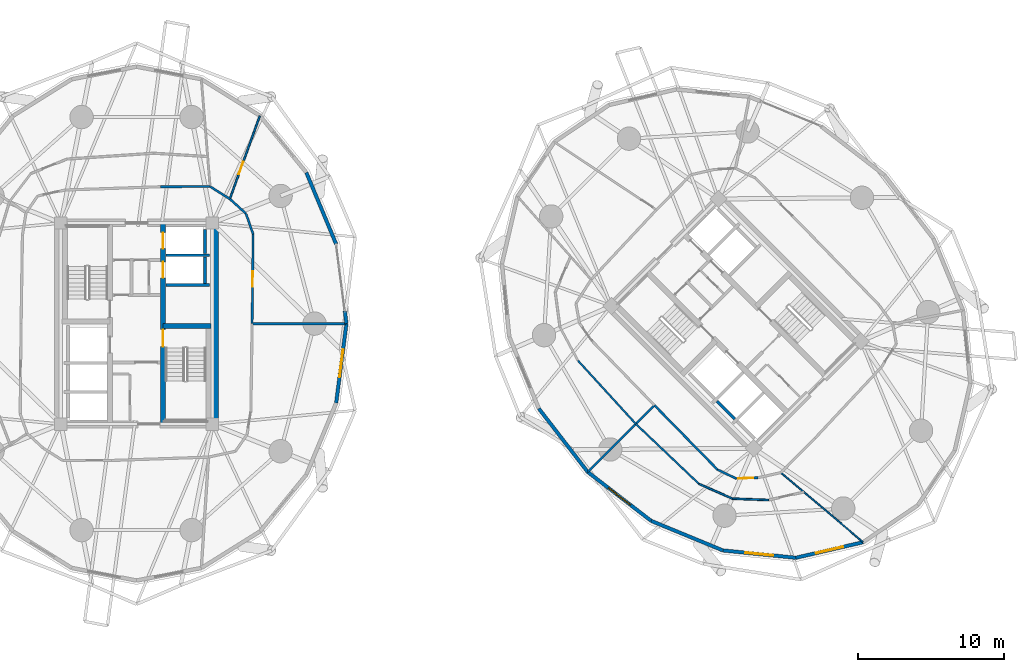
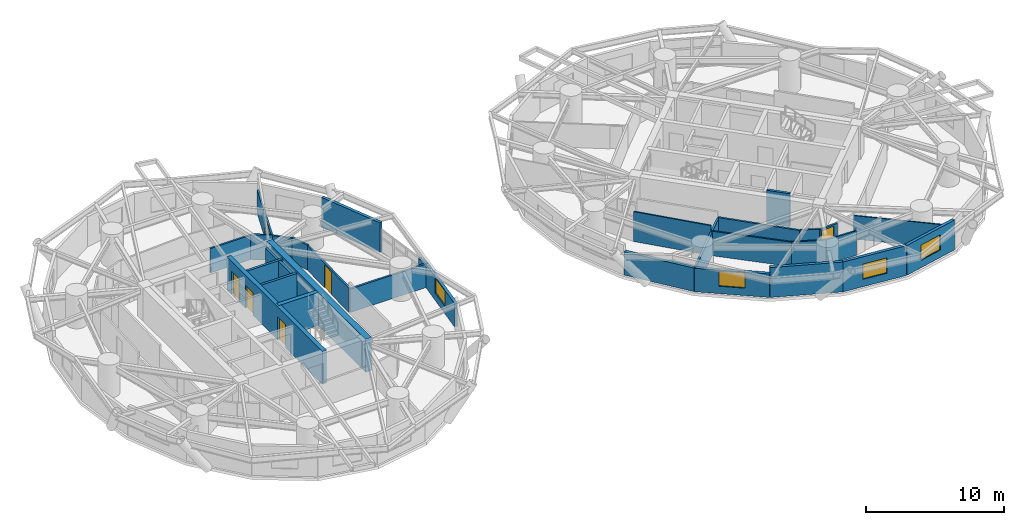
# One storey, part 11 of 17: 32 walls, 6 doors, 4 windows, 10 openings.
"""IFC4 building model written with IfcOpenShell, lengths in metres."""

from ifc_helpers import new_model, si_unit, direction, frame, frame_2d, origin, place, context, subcontext, project, spatial, rectangle, extrude, source, transform, mapped, material, layer, layer_set, type_object, element, fill, save


model = new_model("IFC4")

# Units and contexts
model_context = context("Model", 3, precision=1e-05, world=origin(), true_north=direction((0.0, 1.0)))
body_context = subcontext(model_context, "Body", "Model", "MODEL_VIEW")
ifc_project = project(units=[si_unit("LENGTHUNIT", "METRE"), si_unit("AREAUNIT", "SQUARE_METRE"), si_unit("VOLUMEUNIT", "CUBIC_METRE"), si_unit("PLANEANGLEUNIT", "RADIAN"), si_unit("MASSUNIT", "GRAM", prefix="KILO")], contexts=[model_context])

# Site, building, storey
site_placement = place(None, origin())
site = spatial("IfcSite", under=ifc_project, at=site_placement, CompositionType="ELEMENT")
building_placement = place(site_placement, origin())
building = spatial("IfcBuilding", under=site, at=building_placement, Name="Cununo Teusaquillo Station Towers", CompositionType="ELEMENT")
storey_placement = place(building_placement, frame((0.0, 0.0, 27.820068359375)))
storey = spatial("IfcBuildingStorey", under=building, at=storey_placement, Name="L07", CompositionType="ELEMENT", Elevation=27.820068359375)

# Walls
ifc_material_1 = material(Name="Concrete C50/60", Category="concrete")
ifc_layer_1 = layer(ifc_material_1, 0.199951171875)
ifc_layer_set_1 = layer_set([ifc_layer_1], Name="Concrete C50/60")
wall_type_1 = type_object("IfcWallType", Name="WL-CORE-200", PredefinedType="SHEAR", material=ifc_layer_set_1)
for number, where, z_axis, x_axis, name in (
    (1, (18.510009765625, 27.1298828125, 0.0), (0.0, 0.0, 1.0), (1.0, 0.0, 0.0), "L07 Tower A Low-Rise Lift Hoistway South Shear Wall"),
    (2, (18.510009765625, 29.175048828125, 0.0), (0.0, 0.0, 1.0), (1.0, 0.0, 0.0), "L07 Tower A Low-Rise Lift Hoistway Divider Shear Wall"),
):
    element("IfcWall", number, at=place(storey_placement, frame(where, z_axis=z_axis, x_axis=x_axis)), inside=storey, type_object=wall_type_1, Name=name, PredefinedType="SHEAR", context=body_context, shape_type="SweptSolid", body=[
        extrude(rectangle(XDim=2.969970703125, YDim=0.199951171875, at=frame_2d((1.48486328125, 0.0))), origin(), (0.0, 0.0, 1.0), 2.909912109375),
    ])
wall_1_placement = place(storey_placement, frame((21.179931640625, 27.25, 0.0), z_axis=(0.0, 0.0, 1.0), x_axis=(0.0, 1.0, 0.0)))
element("IfcWall", 3, at=wall_1_placement, inside=storey, type_object=wall_type_1, Name="L07 Tower A Low-Rise Lift 1 Shaft Rear Shear Wall", PredefinedType="SHEAR", context=body_context, shape_type="SweptSolid", body=[
    extrude(rectangle(XDim=1.804931640625, YDim=0.199951171875, at=frame_2d((0.90234375, 0.0))), origin(), (0.0, 0.0, 1.0), 2.909912109375),
])
wall_2_placement = place(storey_placement, frame((21.179931640625, 29.294921875, 0.0), z_axis=(0.0, 0.0, 1.0), x_axis=(0.0, 1.0, 0.0)))
element("IfcWall", 4, at=wall_2_placement, inside=storey, type_object=wall_type_1, Name="L07 Tower A Low-Rise Lift 2 Shaft Rear Shear Wall", PredefinedType="SHEAR", context=body_context, shape_type="SweptSolid", body=[
    extrude(rectangle(XDim=1.635009765625, YDim=0.199951171875, at=frame_2d((0.8173828125, 0.0))), origin(), (0.0, 0.0, 1.0), 2.909912109375),
])
wall_3_placement = place(storey_placement, frame((57.41162109375, 17.969970703125, 0.0), z_axis=(0.0, 0.0, 1.0), x_axis=(-0.707106781187, 0.707106781187, 0.0)))
element("IfcWall", 5, at=wall_3_placement, inside=storey, type_object=wall_type_1, Name="L07 Tower B High-Rise Lift 2 Shaft Rear Shear Wall", PredefinedType="SHEAR", context=body_context, shape_type="SweptSolid", body=[
    extrude(rectangle(XDim=1.73486328125, YDim=0.199951171875, at=frame_2d((0.867431640625, 0.0))), origin(), (0.0, 0.0, 1.0), 2.909912109375),
])

# Wall, openings, doors
ifc_material_2 = material(Name="Concrete C50/60", Category="concrete")
ifc_layer_2 = layer(ifc_material_2, 0.35009765625)
ifc_layer_set_2 = layer_set([ifc_layer_2], Name="Concrete C50/60")
wall_type_2 = type_object("IfcWallType", Name="WL-CORE-350", PredefinedType="SHEAR", material=ifc_layer_set_2)
wall_4_placement = place(storey_placement, frame((18.31494140625, 17.60009765625, 0.0), z_axis=(0.0, 0.0, 1.0), x_axis=(0.0, 1.0, 0.0)))
wall_4 = element("IfcWall", 6, at=wall_4_placement, inside=storey, type_object=wall_type_2, Name="L07 Tower A Core Shear Wall IE", PredefinedType="SHEAR", context=body_context, shape_type="SweptSolid", body=[
    extrude(rectangle(XDim=13.7998046875, YDim=0.35009765625, at=frame_2d((6.89990234375, 0.0))), origin(), (0.0, 0.0, 1.0), 2.909912109375),
])
shared_shape_1 = source(origin(), body_context, "Body", "SweptSolid", [
    extrude(rectangle(XDim=1.10009765625, YDim=2.014892578125, at=frame_2d((0.550048828125, 1.00732421875))), frame((0.0, 0.18505859375, 0.0), z_axis=(0.0, -1.0, 0.0), x_axis=(1.0, 0.0, 0.0)), (0.0, 0.0, 1.0), 0.3701171875),
])
opening_1_placement = place(wall_4_placement, frame((10.02490234375, 0.0, 0.0)))
opening_1 = element("IfcOpeningElement", 7, at=opening_1_placement, cuts=wall_4, Name="Opening LD-01", PredefinedType="OPENING", context=body_context, shape_type="MappedRepresentation", body=[
    mapped(shared_shape_1, transform((0.0, 0.0, 0.0), x_axis=(1.0, 0.0, 0.0), y_axis=(0.0, 1.0, 0.0), z_axis=(0.0, 0.0, 1.0), scale=1.0)),
])
opening_2_placement = place(wall_4_placement, frame((12.02490234375, 0.0, 0.0)))
opening_2 = element("IfcOpeningElement", 8, at=opening_2_placement, cuts=wall_4, Name="Opening LD-01", PredefinedType="OPENING", context=body_context, shape_type="MappedRepresentation", body=[
    mapped(shared_shape_1, transform((0.0, 0.0, 0.0), x_axis=(1.0, 0.0, 0.0), y_axis=(0.0, 1.0, 0.0), z_axis=(0.0, 0.0, 1.0), scale=1.0)),
])
shared_shape_2 = source(origin(), body_context, "Body", "SweptSolid", [
    extrude(rectangle(XDim=1.14990234375, YDim=2.02001953125, at=frame_2d((0.574951171875, 1.010009765625))), frame((0.0, 0.18505859375, 0.0), z_axis=(0.0, -1.0, 0.0), x_axis=(1.0, 0.0, 0.0)), (0.0, 0.0, 1.0), 0.3701171875),
])
opening_3_placement = place(wall_4_placement, frame((5.330078125, 0.0, 0.0)))
opening_3 = element("IfcOpeningElement", 9, at=opening_3_placement, cuts=wall_4, Name="Opening D-ST1", PredefinedType="OPENING", context=body_context, shape_type="MappedRepresentation", body=[
    mapped(shared_shape_2, transform((0.0, 0.0, 0.0), x_axis=(1.0, 0.0, 0.0), y_axis=(0.0, 1.0, 0.0), z_axis=(0.0, 0.0, 1.0), scale=1.0)),
])
ifc_material_3 = material(Name="Galvanised fire-rated hollow steel door assembly", Category="steel")
door_type_1 = type_object("IfcDoorType", Name="DR-LIFT-1100", OperationType="SLIDING_TO_LEFT", PredefinedType="DOOR", material=ifc_material_3)
shared_shape_3 = source(origin(), body_context, "Body", "SweptSolid", [
    extrude(rectangle(XDim=1.10009765625, YDim=2.014892578125, at=frame_2d((0.550048828125, 1.00732421875))), frame((0.0, 0.02490234375, 0.0), z_axis=(0.0, -1.0, 0.0), x_axis=(1.0, 0.0, 0.0)), (0.0, 0.0, 1.0), 0.050048828125),
])
door_1_placement = place(opening_1_placement, origin())
door_1 = element("IfcDoor", 10, at=door_1_placement, inside=storey, type_object=door_type_1, Name="L07 Lift PL-T1-L1 Sliding Landing Door", OperationType="SLIDING_TO_LEFT", OverallHeight=2.014892578125, OverallWidth=1.10009765625, PredefinedType="DOOR", context=body_context, shape_type="MappedRepresentation", body=[
    mapped(shared_shape_3, transform((0.0, 0.0, 0.0), x_axis=(1.0, 0.0, 0.0), y_axis=(0.0, 1.0, 0.0), z_axis=(0.0, 0.0, 1.0), scale=1.0)),
])
fill(opening_1, door_1)
door_2_placement = place(opening_2_placement, origin())
door_2 = element("IfcDoor", 11, at=door_2_placement, inside=storey, type_object=door_type_1, Name="L07 Lift PL-T1-L2 Sliding Landing Door", OperationType="SLIDING_TO_RIGHT", OverallHeight=2.014892578125, OverallWidth=1.10009765625, PredefinedType="DOOR", context=body_context, shape_type="MappedRepresentation", body=[
    mapped(shared_shape_3, transform((0.0, 0.0, 0.0), x_axis=(1.0, 0.0, 0.0), y_axis=(0.0, 1.0, 0.0), z_axis=(0.0, 0.0, 1.0), scale=1.0)),
])
fill(opening_2, door_2)
ifc_material_4 = material(Name="Galvanised fire-rated hollow steel door assembly", Category="steel")
door_type_2 = type_object("IfcDoorType", Name="DR-STAIR-1150", OperationType="NOTDEFINED", PredefinedType="DOOR", material=ifc_material_4)
shared_shape_4 = source(origin(), body_context, "Body", "SweptSolid", [
    extrude(rectangle(XDim=1.14990234375, YDim=2.02001953125, at=frame_2d((0.574951171875, 1.010009765625))), frame((0.0, 0.02490234375, 0.0), z_axis=(0.0, -1.0, 0.0), x_axis=(1.0, 0.0, 0.0)), (0.0, 0.0, 1.0), 0.050048828125),
])
door_3_placement = place(opening_3_placement, origin())
door_3 = element("IfcDoor", 12, at=door_3_placement, inside=storey, type_object=door_type_2, Name="L07 Tower A Exit Stair 2 Fire Door", OperationType="SINGLE_SWING_LEFT", OverallHeight=2.02001953125, OverallWidth=1.14990234375, PredefinedType="DOOR", context=body_context, shape_type="MappedRepresentation", body=[
    mapped(shared_shape_4, transform((0.0, 0.0, 0.0), x_axis=(1.0, 0.0, 0.0), y_axis=(0.0, 1.0, 0.0), z_axis=(0.0, 0.0, 1.0), scale=1.0)),
])
fill(opening_3, door_3)

# Walls
wall_5_placement = place(storey_placement, frame((18.31494140625, 24.344970703125, 0.0), z_axis=(0.0, 0.0, 1.0), x_axis=(1.0, 0.0, 0.0)))
element("IfcWall", 13, at=wall_5_placement, inside=storey, type_object=wall_type_2, Name="L07 Tower A Core Shear Wall ST2N", PredefinedType="SHEAR", context=body_context, shape_type="SweptSolid", body=[
    extrude(rectangle(XDim=3.28515625, YDim=0.35009765625, at=frame_2d((1.642578125, 0.0))), origin(), (0.0, 0.0, 1.0), 2.909912109375),
])
ifc_material_5 = material(Name="Concrete C60/75", Category="concrete")
ifc_layer_3 = layer(ifc_material_5, 0.5)
ifc_layer_set_3 = layer_set([ifc_layer_3], Name="Concrete C60/75")
wall_type_3 = type_object("IfcWallType", Name="WL-CORE-500", PredefinedType="SHEAR", material=ifc_layer_set_3)
wall_6_placement = place(storey_placement, frame((21.85009765625, 17.35009765625, 0.0), z_axis=(0.0, 0.0, 1.0), x_axis=(0.0, 1.0, 0.0)))
element("IfcWall", 14, at=wall_6_placement, inside=storey, type_object=wall_type_3, Name="L07 Tower A Core Shear Wall E", PredefinedType="SHEAR", context=body_context, shape_type="SweptSolid", body=[
    extrude(rectangle(XDim=14.2998046875, YDim=0.5, at=frame_2d((7.14990234375, 0.0))), origin(), (0.0, 0.0, 1.0), 2.909912109375),
])
ifc_material_6 = material(Name="Precast concrete C40/50", Category="concrete")
ifc_layer_4 = layer(ifc_material_6, 0.239990234375)
ifc_layer_set_4 = layer_set([ifc_layer_4], Name="Precast concrete C40/50")
wall_type_4 = type_object("IfcWallType", Name="WL-EXT-240", PredefinedType="SOLIDWALL", material=ifc_layer_set_4)
wall_7_placement = place(storey_placement, frame((30.7392578125, 25.36279296875, 0.0), z_axis=(0.0, 0.0, 1.0), x_axis=(0.128523364007, -0.991706481225, 0.0)))
element("IfcWall", 15, at=wall_7_placement, inside=storey, type_object=wall_type_4, Name="L07 Tower A Column Pier Cladding Wall C00-PB", PredefinedType="SOLIDWALL", context=body_context, shape_type="SweptSolid", body=[
    extrude(rectangle(XDim=0.8701171875, YDim=0.239990234375, at=frame_2d((0.43505859375, 0.0))), origin(), (0.0, 0.0, 1.0), 2.072998046875),
])
wall_8_placement = place(storey_placement, frame((28.110107421875, 34.827392578125, 0.0), z_axis=(0.0, 0.0, 1.0), x_axis=(0.384255919668, -0.923226618009, 0.0)))
element("IfcWall", 16, at=wall_8_placement, inside=storey, type_object=wall_type_4, Name="L07 Tower A Exterior Facade Wall C01", PredefinedType="SOLIDWALL", context=body_context, shape_type="SweptSolid", body=[
    extrude(rectangle(XDim=5.30517578125, YDim=0.239990234375, at=frame_2d((2.652587890625, 0.0))), origin(), (0.0, 0.0, 1.0), 2.635009765625),
])

# Wall, opening, window
wall_9_placement = place(storey_placement, frame((30.85107421875, 24.5, 0.0), z_axis=(0.0, 0.0, 1.0), x_axis=(-0.128298189174, -0.991735637483, 0.0)))
wall_9 = element("IfcWall", 17, at=wall_9_placement, inside=storey, type_object=wall_type_4, Name="L07 Tower A Exterior Facade Wall C19", PredefinedType="SOLIDWALL", context=body_context, shape_type="SweptSolid", body=[
    extrude(rectangle(XDim=5.474609375, YDim=0.239990234375, at=frame_2d((2.7373046875, 0.0))), origin(), (0.0, 0.0, 1.0), 2.072998046875),
])
shared_shape_5 = source(origin(), body_context, "Body", "SweptSolid", [
    extrude(rectangle(XDim=1.89990234375, YDim=1.35009765625, at=frame_2d((0.949951171875, 0.675048828125))), frame((0.0, 0.1298828125, 0.0), z_axis=(0.0, -1.0, 0.0), x_axis=(1.0, 0.0, 0.0)), (0.0, 0.0, 1.0), 0.260009765625),
])
opening_4_placement = place(wall_9_placement, frame((1.787109375, 0.0, 0.64990234375)))
opening_4 = element("IfcOpeningElement", 18, at=opening_4_placement, cuts=wall_9, Name="Opening WN-02", PredefinedType="OPENING", context=body_context, shape_type="MappedRepresentation", body=[
    mapped(shared_shape_5, transform((0.0, 0.0, 0.0), x_axis=(1.0, 0.0, 0.0), y_axis=(0.0, 1.0, 0.0), z_axis=(0.0, 0.0, 1.0), scale=1.0)),
])
ifc_material_7 = material(Name="Operable acoustic tinted low-E double glazing", Category="glass")
window_type = type_object("IfcWindowType", Name="WIN-OPER-1900", PartitioningType="DOUBLE_PANEL_VERTICAL", PredefinedType="WINDOW", material=ifc_material_7)
shared_shape_6 = source(origin(), body_context, "Body", "SweptSolid", [
    extrude(rectangle(XDim=1.89990234375, YDim=1.35009765625, at=frame_2d((0.949951171875, 0.675048828125))), frame((0.0, 0.030029296875, 0.0), z_axis=(0.0, -1.0, 0.0), x_axis=(1.0, 0.0, 0.0)), (0.0, 0.0, 1.0), 0.06005859375),
])
window_1_placement = place(opening_4_placement, origin())
window_1 = element("IfcWindow", 19, at=window_1_placement, inside=storey, type_object=window_type, Name="L07 Tower A Facade Window C19", OverallHeight=1.35009765625, OverallWidth=1.89990234375, PartitioningType="DOUBLE_PANEL_VERTICAL", PredefinedType="WINDOW", context=body_context, shape_type="MappedRepresentation", body=[
    mapped(shared_shape_6, transform((0.0, 0.0, 0.0), x_axis=(1.0, 0.0, 0.0), y_axis=(0.0, 1.0, 0.0), z_axis=(0.0, 0.0, 1.0), scale=1.0)),
])
fill(opening_4, window_1)

# Wall
wall_10_placement = place(storey_placement, frame((47.352294921875, 14.352294921875, 0.0), z_axis=(0.0, 0.0, 1.0), x_axis=(-0.610557396243, 0.791972010801, 0.0)))
element("IfcWall", 20, at=wall_10_placement, inside=storey, type_object=wall_type_4, Name="L07 Tower B Exterior Facade Wall C09", PredefinedType="SOLIDWALL", context=body_context, shape_type="SweptSolid", body=[
    extrude(rectangle(XDim=5.474609375, YDim=0.239990234375, at=frame_2d((2.7373046875, 0.0))), origin(), (0.0, 0.0, 1.0), 2.072998046875),
])

# Wall, opening, window
wall_11_placement = place(storey_placement, frame((51.68798828125, 11.009765625, 0.0), z_axis=(0.0, 0.0, 1.0), x_axis=(-0.791972010801, 0.610557396243, 0.0)))
wall_11 = element("IfcWall", 21, at=wall_11_placement, inside=storey, type_object=wall_type_4, Name="L07 Tower B Exterior Facade Wall C10", PredefinedType="SOLIDWALL", context=body_context, shape_type="SweptSolid", body=[
    extrude(rectangle(XDim=5.474609375, YDim=0.239990234375, at=frame_2d((2.7373046875, 0.0))), origin(), (0.0, 0.0, 1.0), 2.072998046875),
])
opening_5_placement = place(wall_11_placement, frame((1.787109375, 0.0, 0.64990234375)))
opening_5 = element("IfcOpeningElement", 22, at=opening_5_placement, cuts=wall_11, Name="Opening WN-02", PredefinedType="OPENING", context=body_context, shape_type="MappedRepresentation", body=[
    mapped(shared_shape_5, transform((0.0, 0.0, 0.0), x_axis=(1.0, 0.0, 0.0), y_axis=(0.0, 1.0, 0.0), z_axis=(0.0, 0.0, 1.0), scale=1.0)),
])
window_2_placement = place(opening_5_placement, origin())
window_2 = element("IfcWindow", 23, at=window_2_placement, inside=storey, type_object=window_type, Name="L07 Tower B Facade Window C10", OverallHeight=1.35009765625, OverallWidth=1.89990234375, PartitioningType="DOUBLE_PANEL_VERTICAL", PredefinedType="WINDOW", context=body_context, shape_type="MappedRepresentation", body=[
    mapped(shared_shape_6, transform((0.0, 0.0, 0.0), x_axis=(1.0, 0.0, 0.0), y_axis=(0.0, 1.0, 0.0), z_axis=(0.0, 0.0, 1.0), scale=1.0)),
])
fill(opening_5, window_2)

# Wall
wall_12_placement = place(storey_placement, frame((56.593017578125, 8.98779296875, 0.0), z_axis=(0.0, 0.0, 1.0), x_axis=(-0.924528403616, 0.381113147118, 0.0)))
element("IfcWall", 24, at=wall_12_placement, inside=storey, type_object=wall_type_4, Name="L07 Tower B Exterior Facade Wall C11", PredefinedType="SOLIDWALL", context=body_context, shape_type="SweptSolid", body=[
    extrude(rectangle(XDim=5.305419921875, YDim=0.239990234375, at=frame_2d((2.65283203125, 0.0))), origin(), (0.0, 0.0, 1.0), 2.635009765625),
])

# Wall, opening, window
wall_13_placement = place(storey_placement, frame((61.58642578125, 8.484130859375, 0.0), z_axis=(0.0, 0.0, 1.0), x_axis=(-0.994951574538, 0.100356187272, 0.0)))
wall_13 = element("IfcWall", 25, at=wall_13_placement, inside=storey, type_object=wall_type_4, Name="L07 Tower B Exterior Facade Wall C12", PredefinedType="SOLIDWALL", context=body_context, shape_type="SweptSolid", body=[
    extrude(rectangle(XDim=5.018798828125, YDim=0.239990234375, at=frame_2d((2.50927734375, 0.0))), origin(), (0.0, 0.0, 1.0), 2.635009765625),
])
opening_6_placement = place(wall_13_placement, frame((1.55908203125, 0.0, 0.64990234375)))
opening_6 = element("IfcOpeningElement", 26, at=opening_6_placement, cuts=wall_13, Name="Opening WN-02", PredefinedType="OPENING", context=body_context, shape_type="MappedRepresentation", body=[
    mapped(shared_shape_5, transform((0.0, 0.0, 0.0), x_axis=(1.0, 0.0, 0.0), y_axis=(0.0, 1.0, 0.0), z_axis=(0.0, 0.0, 1.0), scale=1.0)),
])
window_3_placement = place(opening_6_placement, origin())
window_3 = element("IfcWindow", 27, at=window_3_placement, inside=storey, type_object=window_type, Name="L07 Tower B Facade Window C12", OverallHeight=1.35009765625, OverallWidth=1.89990234375, PartitioningType="DOUBLE_PANEL_VERTICAL", PredefinedType="WINDOW", context=body_context, shape_type="MappedRepresentation", body=[
    mapped(shared_shape_6, transform((0.0, 0.0, 0.0), x_axis=(1.0, 0.0, 0.0), y_axis=(0.0, 1.0, 0.0), z_axis=(0.0, 0.0, 1.0), scale=1.0)),
])
fill(opening_6, window_3)

wall_14_placement = place(storey_placement, frame((66.179931640625, 9.54833984375, 0.0), z_axis=(0.0, 0.0, 1.0), x_axis=(-0.974197104074, -0.225698919833, 0.0)))
wall_14 = element("IfcWall", 28, at=wall_14_placement, inside=storey, type_object=wall_type_4, Name="L07 Tower B Exterior Facade Wall C13", PredefinedType="SOLIDWALL", context=body_context, shape_type="SweptSolid", body=[
    extrude(rectangle(XDim=4.715087890625, YDim=0.239990234375, at=frame_2d((2.357421875, 0.0))), origin(), (0.0, 0.0, 1.0), 2.635009765625),
])
opening_7_placement = place(wall_14_placement, frame((1.407958984375, 0.0, 0.64990234375)))
opening_7 = element("IfcOpeningElement", 29, at=opening_7_placement, cuts=wall_14, Name="Opening WN-02", PredefinedType="OPENING", context=body_context, shape_type="MappedRepresentation", body=[
    mapped(shared_shape_5, transform((0.0, 0.0, 0.0), x_axis=(1.0, 0.0, 0.0), y_axis=(0.0, 1.0, 0.0), z_axis=(0.0, 0.0, 1.0), scale=1.0)),
])
window_4_placement = place(opening_7_placement, origin())
window_4 = element("IfcWindow", 30, at=window_4_placement, inside=storey, type_object=window_type, Name="L07 Tower B Facade Window C13", OverallHeight=1.35009765625, OverallWidth=1.89990234375, PartitioningType="DOUBLE_PANEL_VERTICAL", PredefinedType="WINDOW", context=body_context, shape_type="MappedRepresentation", body=[
    mapped(shared_shape_6, transform((0.0, 0.0, 0.0), x_axis=(1.0, 0.0, 0.0), y_axis=(0.0, 1.0, 0.0), z_axis=(0.0, 0.0, 1.0), scale=1.0)),
])
fill(opening_7, window_4)

# Wall
ifc_material_8 = material(Name="Fire-rated gypsum plasterboard partition assembly", Category="gypsum")
ifc_layer_5 = layer(ifc_material_8, 0.10009765625)
ifc_layer_set_5 = layer_set([ifc_layer_5], Name="Fire-rated gypsum plasterboard partition assembly")
wall_type_5 = type_object("IfcWallType", Name="WL-PART-100", PredefinedType="MOVABLE", material=ifc_layer_set_5)
wall_15_placement = place(storey_placement, frame((60.5625, 14.3095703125, 0.0), z_axis=(0.0, 0.0, 1.0), x_axis=(0.763547638675, -0.645751502881, 0.0)))
element("IfcWall", 31, at=wall_15_placement, inside=storey, type_object=wall_type_5, Name="L07 Tower B Radial Suite Partition R04", PredefinedType="MOVABLE", context=body_context, shape_type="SweptSolid", body=[
    extrude(rectangle(XDim=7.34521484375, YDim=0.10009765625, at=frame_2d((3.672607421875, 0.0))), origin(), (0.0, 0.0, 1.0), 2.072998046875),
])

# Wall, opening, door
ifc_material_9 = material(Name="Fire-rated gypsum plasterboard partition assembly", Category="gypsum")
ifc_layer_6 = layer(ifc_material_9, 0.125)
ifc_layer_set_6 = layer_set([ifc_layer_6], Name="Fire-rated gypsum plasterboard partition assembly")
wall_type_6 = type_object("IfcWallType", Name="WL-PART-125", PredefinedType="PARTITIONING", material=ifc_layer_set_6)
wall_16_placement = place(storey_placement, frame((22.87744140625, 33.021728515625, 0.0), z_axis=(0.0, 0.0, 1.0), x_axis=(0.339100549831, 0.94075013532, 0.0)))
wall_16 = element("IfcWall", 32, at=wall_16_placement, inside=storey, type_object=wall_type_6, Name="L07 Tower A Grand Conference Salon Suite Subdividing Wall", PredefinedType="PARTITIONING", context=body_context, shape_type="SweptSolid", body=[
    extrude(rectangle(XDim=6.033935546875, YDim=0.125, at=frame_2d((3.01708984375, 0.0))), origin(), (0.0, 0.0, 1.0), 2.072998046875),
])
shared_shape_7 = source(origin(), body_context, "Body", "SweptSolid", [
    extrude(rectangle(XDim=0.89990234375, YDim=2.0048828125, at=frame_2d((0.449951171875, 1.00244140625))), frame((0.0, 0.072509765625, 0.0), z_axis=(0.0, -1.0, 0.0), x_axis=(1.0, 0.0, 0.0)), (0.0, 0.0, 1.0), 0.14501953125),
])
opening_8_placement = place(wall_16_placement, frame((1.800048828125, 0.0, 0.0)))
opening_8 = element("IfcOpeningElement", 33, at=opening_8_placement, cuts=wall_16, Name="Opening D-IN1", PredefinedType="OPENING", context=body_context, shape_type="MappedRepresentation", body=[
    mapped(shared_shape_7, transform((0.0, 0.0, 0.0), x_axis=(1.0, 0.0, 0.0), y_axis=(0.0, 1.0, 0.0), z_axis=(0.0, 0.0, 1.0), scale=1.0)),
])
ifc_material_10 = material(Name="Acoustic solid-core hardwood leaf assembly", Category="wood")
door_type_3 = type_object("IfcDoorType", Name="DR-INT-900", OperationType="NOTDEFINED", PredefinedType="DOOR", material=ifc_material_10)
shared_shape_8 = source(origin(), body_context, "Body", "SweptSolid", [
    extrude(rectangle(XDim=0.89990234375, YDim=2.0048828125, at=frame_2d((0.449951171875, 1.00244140625))), frame((0.0, 0.02490234375, 0.0), z_axis=(0.0, -1.0, 0.0), x_axis=(1.0, 0.0, 0.0)), (0.0, 0.0, 1.0), 0.050048828125),
])
door_4_placement = place(opening_8_placement, origin())
door_4 = element("IfcDoor", 34, at=door_4_placement, inside=storey, type_object=door_type_3, Name="L07 Tower A Grand Conference Salon Suite Connecting Door", OperationType="SINGLE_SWING_RIGHT", OverallHeight=2.0048828125, OverallWidth=0.89990234375, PredefinedType="DOOR", context=body_context, shape_type="MappedRepresentation", body=[
    mapped(shared_shape_8, transform((0.0, 0.0, 0.0), x_axis=(1.0, 0.0, 0.0), y_axis=(0.0, 1.0, 0.0), z_axis=(0.0, 0.0, 1.0), scale=1.0)),
])
fill(opening_8, door_4)

# Walls
wall_17_placement = place(storey_placement, frame((46.67578125, 21.9775390625, 0.0), z_axis=(0.0, 0.0, 1.0), x_axis=(0.67473816271, -0.738057187339, 0.0)))
element("IfcWall", 35, at=wall_17_placement, inside=storey, type_object=wall_type_6, Name="L07 Tower B Press & Broadcast Briefing Hall Concentric Partition Wall C09", PredefinedType="PARTITIONING", context=body_context, shape_type="SweptSolid", body=[
    extrude(rectangle(XDim=5.876220703125, YDim=0.125, at=frame_2d((2.93798828125, 0.0))), origin(), (0.0, 0.0, 1.0), 2.635009765625),
])
wall_18_placement = place(storey_placement, frame((50.640625, 17.640625, 0.0), z_axis=(0.0, 0.0, 1.0), x_axis=(0.724909383019, -0.688844239586, 0.0)))
element("IfcWall", 36, at=wall_18_placement, inside=storey, type_object=wall_type_6, Name="L07 Tower B Hospitality Pre-Function Lounge Concentric Partition Wall C10", PredefinedType="PARTITIONING", context=body_context, shape_type="SweptSolid", body=[
    extrude(rectangle(XDim=5.95703125, YDim=0.125, at=frame_2d((2.978515625, 0.0))), origin(), (0.0, 0.0, 1.0), 2.158935546875),
])
wall_19_placement = place(storey_placement, frame((54.958984375, 13.537109375, 0.0), z_axis=(0.0, 0.0, 1.0), x_axis=(0.915414044123, -0.402513512596, 0.0)))
element("IfcWall", 37, at=wall_19_placement, inside=storey, type_object=wall_type_6, Name="L07 Tower B Hospitality Pre-Function Lounge Concentric Partition Wall C11", PredefinedType="PARTITIONING", context=body_context, shape_type="SweptSolid", body=[
    extrude(rectangle(XDim=2.508056640625, YDim=0.125, at=frame_2d((1.25390625, 0.0))), origin(), (0.0, 0.0, 1.0), 2.158935546875),
])
wall_20_placement = place(storey_placement, frame((57.2548828125, 12.527587890625, 0.0), z_axis=(0.0, 0.0, 1.0), x_axis=(0.999290303909, -0.037668136579, 0.0)))
element("IfcWall", 38, at=wall_20_placement, inside=storey, type_object=wall_type_6, Name="L07 Tower B Hospitality Pre-Function Lounge Concentric Partition Wall C12", PredefinedType="PARTITIONING", context=body_context, shape_type="SweptSolid", body=[
    extrude(rectangle(XDim=2.475830078125, YDim=0.125, at=frame_2d((1.23779296875, 0.0))), origin(), (0.0, 0.0, 1.0), 2.158935546875),
])

# Wall, opening, door
ifc_material_11 = material(Name="Fire-rated gypsum plasterboard partition assembly", Category="gypsum")
ifc_layer_7 = layer(ifc_material_11, 0.14990234375)
ifc_layer_set_7 = layer_set([ifc_layer_7], Name="Fire-rated gypsum plasterboard partition assembly")
wall_type_7 = type_object("IfcWallType", Name="WL-PART-150", PredefinedType="PARTITIONING", material=ifc_layer_set_7)
wall_21_placement = place(storey_placement, frame((24.39990234375, 24.5, 0.0), z_axis=(0.0, 0.0, 1.0), x_axis=(0.011299841544, 0.999936154752, 0.0)))
wall_21 = element("IfcWall", 39, at=wall_21_placement, inside=storey, type_object=wall_type_7, Name="L07 Tower A Corridor Ring Wall C00", PredefinedType="PARTITIONING", context=body_context, shape_type="SweptSolid", body=[
    extrude(rectangle(XDim=6.114501953125, YDim=0.14990234375, at=frame_2d((3.05712890625, 0.0))), origin(), (0.0, 0.0, 1.0), 2.158935546875),
])
shared_shape_9 = source(origin(), body_context, "Body", "SweptSolid", [
    extrude(rectangle(XDim=1.050048828125, YDim=2.014892578125, at=frame_2d((0.52490234375, 1.00732421875))), frame((0.0, 0.0849609375, 0.0), z_axis=(0.0, -1.0, 0.0), x_axis=(1.0, 0.0, 0.0)), (0.0, 0.0, 1.0), 0.169921875),
])
opening_9_placement = place(wall_21_placement, frame((2.5322265625, 0.0, 0.0)))
opening_9 = element("IfcOpeningElement", 40, at=opening_9_placement, cuts=wall_21, Name="Opening D-SU1", PredefinedType="OPENING", context=body_context, shape_type="MappedRepresentation", body=[
    mapped(shared_shape_9, transform((0.0, 0.0, 0.0), x_axis=(1.0, 0.0, 0.0), y_axis=(0.0, 1.0, 0.0), z_axis=(0.0, 0.0, 1.0), scale=1.0)),
])
ifc_material_12 = material(Name="Acoustic solid-core hardwood leaf assembly", Category="wood")
door_type_4 = type_object("IfcDoorType", Name="DR-SUITE-1050", OperationType="NOTDEFINED", PredefinedType="DOOR", material=ifc_material_12)
shared_shape_10 = source(origin(), body_context, "Body", "SweptSolid", [
    extrude(rectangle(XDim=1.050048828125, YDim=2.014892578125, at=frame_2d((0.52490234375, 1.00732421875))), frame((0.0, 0.02490234375, 0.0), z_axis=(0.0, -1.0, 0.0), x_axis=(1.0, 0.0, 0.0)), (0.0, 0.0, 1.0), 0.050048828125),
])
door_5_placement = place(opening_9_placement, origin())
door_5 = element("IfcDoor", 41, at=door_5_placement, inside=storey, type_object=door_type_4, Name="L07 Tower A Grand Conference Salon Entrance Door", OperationType="SINGLE_SWING_LEFT", OverallHeight=2.014892578125, OverallWidth=1.050048828125, PredefinedType="DOOR", context=body_context, shape_type="MappedRepresentation", body=[
    mapped(shared_shape_10, transform((0.0, 0.0, 0.0), x_axis=(1.0, 0.0, 0.0), y_axis=(0.0, 1.0, 0.0), z_axis=(0.0, 0.0, 1.0), scale=1.0)),
])
fill(opening_9, door_5)

# Walls
wall_22_placement = place(storey_placement, frame((24.468994140625, 30.614013671875, 0.0), z_axis=(0.0, 0.0, 1.0), x_axis=(-0.327228335485, 0.944945298129, 0.0)))
element("IfcWall", 42, at=wall_22_placement, inside=storey, type_object=wall_type_7, Name="L07 Tower A Corridor Ring Wall C01", PredefinedType="PARTITIONING", context=body_context, shape_type="SweptSolid", body=[
    extrude(rectangle(XDim=1.4951171875, YDim=0.14990234375, at=frame_2d((0.74755859375, 0.0))), origin(), (0.0, 0.0, 1.0), 2.204833984375),
])
wall_23_placement = place(storey_placement, frame((23.979736328125, 32.02685546875, 0.0), z_axis=(0.0, 0.0, 1.0), x_axis=(-0.742353224332, 0.670008724065, 0.0)))
element("IfcWall", 43, at=wall_23_placement, inside=storey, type_object=wall_type_7, Name="L07 Tower A Corridor Ring Wall C02", PredefinedType="PARTITIONING", context=body_context, shape_type="SweptSolid", body=[
    extrude(rectangle(XDim=1.48486328125, YDim=0.14990234375, at=frame_2d((0.742431640625, 0.0))), origin(), (0.0, 0.0, 1.0), 2.158935546875),
])
wall_24_placement = place(storey_placement, frame((22.87744140625, 33.021728515625, 0.0), z_axis=(0.0, 0.0, 1.0), x_axis=(-0.845895608855, 0.533348496689, 0.0)))
element("IfcWall", 44, at=wall_24_placement, inside=storey, type_object=wall_type_7, Name="L07 Tower A Corridor Ring Wall C03", PredefinedType="PARTITIONING", context=body_context, shape_type="SweptSolid", body=[
    extrude(rectangle(XDim=1.5966796875, YDim=0.14990234375, at=frame_2d((0.79833984375, 0.0))), origin(), (0.0, 0.0, 1.0), 2.204833984375),
])
wall_25_placement = place(storey_placement, frame((21.52685546875, 33.873291015625, 0.0), z_axis=(0.0, 0.0, 1.0), x_axis=(-0.999991838845, -0.004040079574, 0.0)))
element("IfcWall", 45, at=wall_25_placement, inside=storey, type_object=wall_type_7, Name="L07 Tower A Corridor Ring Wall C04", PredefinedType="PARTITIONING", context=body_context, shape_type="SweptSolid", body=[
    extrude(rectangle(XDim=3.384033203125, YDim=0.14990234375, at=frame_2d((1.69189453125, 0.0))), origin(), (0.0, 0.0, 1.0), 2.158935546875),
])
wall_26_placement = place(storey_placement, frame((51.913818359375, 18.913818359375, 0.0), z_axis=(0.0, 0.0, 1.0), x_axis=(0.699999313799, -0.714143515465, 0.0)))
element("IfcWall", 46, at=wall_26_placement, inside=storey, type_object=wall_type_7, Name="L07 Tower B Corridor Ring Wall C10", PredefinedType="PARTITIONING", context=body_context, shape_type="SweptSolid", body=[
    extrude(rectangle(XDim=6.162109375, YDim=0.14990234375, at=frame_2d((3.0810546875, 0.0))), origin(), (0.0, 0.0, 1.0), 2.158935546875),
])
wall_27_placement = place(storey_placement, frame((56.227294921875, 14.51318359375, 0.0), z_axis=(0.0, 0.0, 1.0), x_axis=(0.901477579283, -0.432825801044, 0.0)))
element("IfcWall", 47, at=wall_27_placement, inside=storey, type_object=wall_type_7, Name="L07 Tower B Corridor Ring Wall C11", PredefinedType="PARTITIONING", context=body_context, shape_type="SweptSolid", body=[
    extrude(rectangle(XDim=1.42431640625, YDim=0.14990234375, at=frame_2d((0.712158203125, 0.0))), origin(), (0.0, 0.0, 1.0), 2.204833984375),
])

# Wall, opening, door
wall_28_placement = place(storey_placement, frame((57.51123046875, 13.896728515625, 0.0), z_axis=(0.0, 0.0, 1.0), x_axis=(0.999024538494, 0.044158481476, 0.0)))
wall_28 = element("IfcWall", 48, at=wall_28_placement, inside=storey, type_object=wall_type_7, Name="L07 Tower B Corridor Ring Wall C12", PredefinedType="PARTITIONING", context=body_context, shape_type="SweptSolid", body=[
    extrude(rectangle(XDim=1.498291015625, YDim=0.14990234375, at=frame_2d((0.7490234375, 0.0))), origin(), (0.0, 0.0, 1.0), 2.158935546875),
])
opening_10_placement = place(wall_28_placement, frame((0.1201171875, 0.0, 0.0)))
opening_10 = element("IfcOpeningElement", 49, at=opening_10_placement, cuts=wall_28, Name="Opening D-SU1", PredefinedType="OPENING", context=body_context, shape_type="MappedRepresentation", body=[
    mapped(shared_shape_9, transform((0.0, 0.0, 0.0), x_axis=(1.0, 0.0, 0.0), y_axis=(0.0, 1.0, 0.0), z_axis=(0.0, 0.0, 1.0), scale=1.0)),
])
door_6_placement = place(opening_10_placement, origin())
door_6 = element("IfcDoor", 50, at=door_6_placement, inside=storey, type_object=door_type_4, Name="L07 Tower B Hospitality Pre-Function Lounge Entrance Door", OperationType="SINGLE_SWING_RIGHT", OverallHeight=2.014892578125, OverallWidth=1.050048828125, PredefinedType="DOOR", context=body_context, shape_type="MappedRepresentation", body=[
    mapped(shared_shape_10, transform((0.0, 0.0, 0.0), x_axis=(1.0, 0.0, 0.0), y_axis=(0.0, 1.0, 0.0), z_axis=(0.0, 0.0, 1.0), scale=1.0)),
])
fill(opening_10, door_6)

# Walls
ifc_material_13 = material(Name="Fire-rated gypsum plasterboard partition assembly", Category="gypsum")
ifc_layer_8 = layer(ifc_material_13, 0.159912109375)
ifc_layer_set_8 = layer_set([ifc_layer_8], Name="Fire-rated gypsum plasterboard partition assembly")
wall_type_8 = type_object("IfcWallType", Name="WL-PART-160", PredefinedType="PARTITIONING", material=ifc_layer_set_8)
wall_29_placement = place(storey_placement, frame((24.39990234375, 24.5, 0.0), z_axis=(0.0, 0.0, 1.0), x_axis=(1.0, 0.0, 0.0)))
element("IfcWall", 51, at=wall_29_placement, inside=storey, type_object=wall_type_8, Name="L07 Tower A Radial Suite Partition R01", PredefinedType="PARTITIONING", context=body_context, shape_type="SweptSolid", body=[
    extrude(rectangle(XDim=6.43115234375, YDim=0.159912109375, at=frame_2d((3.215576171875, 0.0))), origin(), (0.0, 0.0, 1.0), 2.072998046875),
])
wall_30_placement = place(storey_placement, frame((51.913818359375, 18.913818359375, 0.0), z_axis=(0.0, 0.0, 1.0), x_axis=(-0.707106781187, -0.707106781187, 0.0)))
element("IfcWall", 52, at=wall_30_placement, inside=storey, type_object=wall_type_8, Name="L07 Tower B Radial Suite Partition R03", PredefinedType="PARTITIONING", context=body_context, shape_type="SweptSolid", body=[
    extrude(rectangle(XDim=6.430908203125, YDim=0.159912109375, at=frame_2d((3.21533203125, 0.0))), origin(), (0.0, 0.0, 1.0), 2.072998046875),
])

save(model, "model.ifc")
